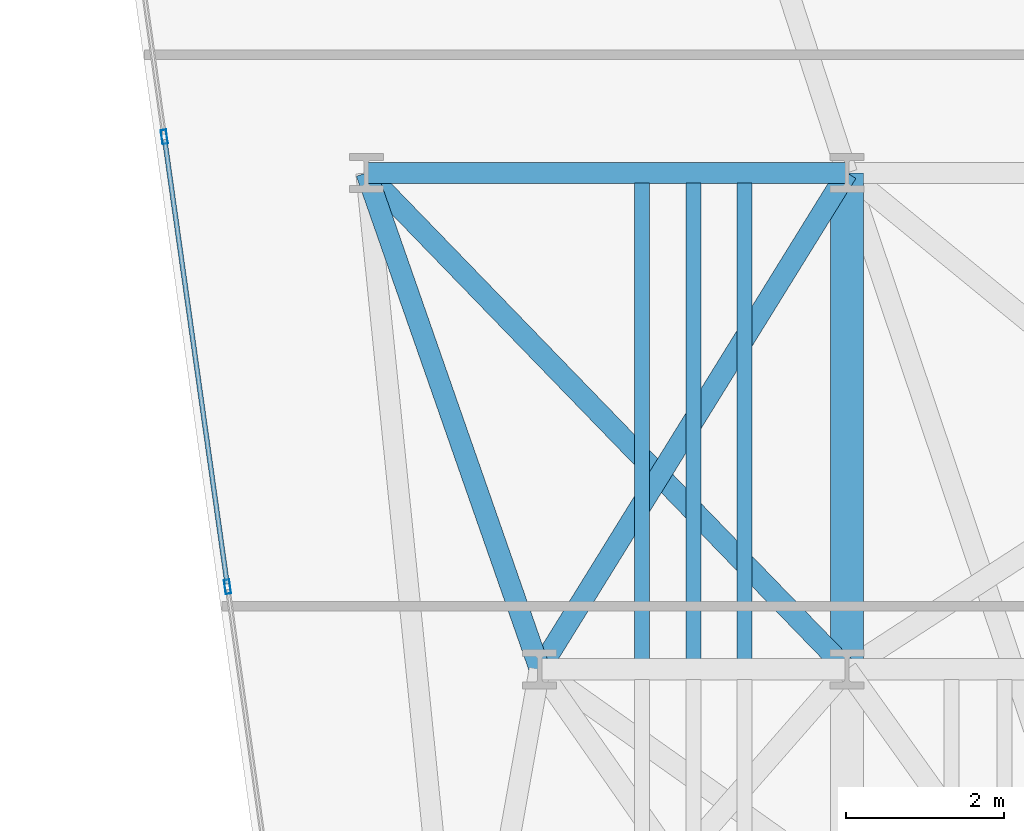
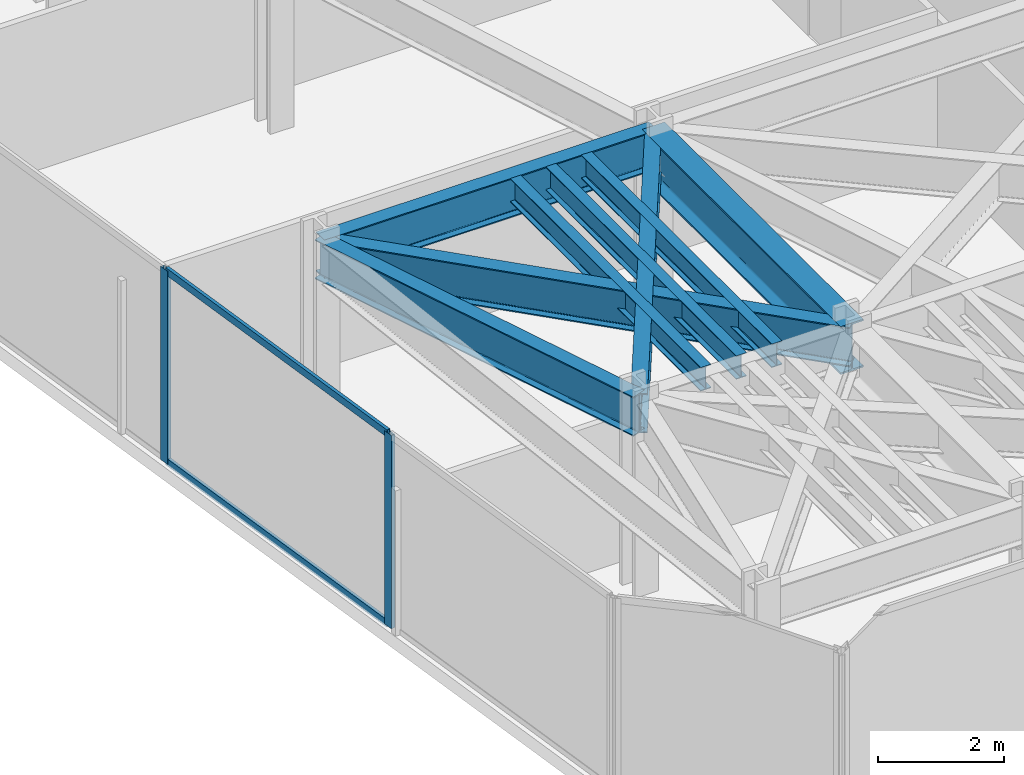
# One storey, part 4 of 24: 8 beams, 4 members, 1 element without a shape of its own.
"""IFC4 building model written with IfcOpenShell, lengths in metres."""

from ifc_helpers import new_model, si_unit, direction, frame, origin, origin_2d, place, context, subcontext, project, spatial, hollow_rectangle, i_section, extrude, material, layer, layer_set, material_profile, profile_set, type_object, element, aggregate, save


model = new_model("IFC4")

# Units and contexts
model_context = context("Model", 3, precision=1e-05, world=origin(), true_north=direction((0.0, 1.0)))
body_context = subcontext(model_context, "Body", "Model", "MODEL_VIEW")
ifc_project = project(units=[si_unit("LENGTHUNIT", "METRE"), si_unit("AREAUNIT", "SQUARE_METRE"), si_unit("VOLUMEUNIT", "CUBIC_METRE"), si_unit("PLANEANGLEUNIT", "RADIAN"), si_unit("MASSUNIT", "GRAM", prefix="KILO")], contexts=[model_context])

# Site, building, storey
site_placement = place(None, origin())
site = spatial("IfcSite", under=ifc_project, at=site_placement, CompositionType="ELEMENT")
building_placement = place(site_placement, origin())
building = spatial("IfcBuilding", under=site, at=building_placement, Name="Kravanh Interchange Tower", CompositionType="ELEMENT")
storey_placement = place(building_placement, frame((0.0, 0.0, 61.5)))
storey = spatial("IfcBuildingStorey", under=building, at=storey_placement, Name="L14", CompositionType="ELEMENT", Elevation=61.5)

# Curtain wall, members
ifc_material_1 = material(Name="Anodised Bronze Aluminium", Category="aluminium")
ifc_layer = layer(ifc_material_1, 0.179931640625)
ifc_layer_set = layer_set([ifc_layer], Name="Unitised Curtain Wall System CW-Z1 Lower Office")
curtain_wall_type = type_object("IfcCurtainWallType", Name="Unitised Curtain Wall System CW-Z1 Lower Office", PredefinedType="NOTDEFINED", material=ifc_layer_set)
curtain_wall_placement = place(storey_placement, origin())
curtain_wall = element("IfcCurtainWall", 1, at=curtain_wall_placement, inside=storey, type_object=curtain_wall_type, Name="L14 Unitised Curtain Wall CW-L14-01", PredefinedType="NOTDEFINED")
ifc_material_2 = material(Name="Anodised Bronze Aluminium", Category="aluminium")
ifc_material_profile_1 = material_profile(ifc_material_2, hollow_rectangle(XDim=0.070068359375, YDim=0.179931640625, WallThickness=0.00390625, at=origin_2d()), Name="ALU70X180X4")
ifc_profile_set_1 = profile_set([ifc_material_profile_1], Name="Anodised Bronze Aluminium")
member_type_1 = type_object("IfcMemberType", Name="Curtain Wall Mullion ALU70X180X4 Bronze", PredefinedType="MULLION", material=ifc_profile_set_1)
member_1_placement = place(storey_placement, frame((9.6376953125, 9.247314453125, 0.0), z_axis=(0.0, 0.0, 1.0), x_axis=(-0.990267585682, -0.139176538065, 0.0)))
member_1 = element("IfcMember", 2, at=member_1_placement, type_object=member_type_1, Name="CW-Z1 mullion 2", PredefinedType="MULLION", context=body_context, shape_type="SweptSolid", body=[
    extrude(hollow_rectangle(XDim=0.070068359375, YDim=0.179931640625, WallThickness=0.00390625, at=origin_2d()), origin(), (0.0, 0.0, 1.0), 3.739990234375),
])
member_2_placement = place(storey_placement, frame((8.835205078125, 14.957763671875, 0.0), z_axis=(0.0, 0.0, 1.0), x_axis=(-0.990267585682, -0.139176538065, 0.0)))
member_2 = element("IfcMember", 3, at=member_2_placement, type_object=member_type_1, Name="CW-Z1 mullion 3", PredefinedType="MULLION", context=body_context, shape_type="SweptSolid", body=[
    extrude(hollow_rectangle(XDim=0.070068359375, YDim=0.179931640625, WallThickness=0.00390625, at=origin_2d()), origin(), (0.0, 0.0, 1.0), 3.739990234375),
])
ifc_material_3 = material(Name="Anodised Bronze Aluminium", Category="aluminium")
ifc_material_profile_2 = material_profile(ifc_material_3, hollow_rectangle(XDim=0.06005859375, YDim=0.139892578125, WallThickness=0.00390625, at=origin_2d()), Name="ALU60X140X4")
ifc_profile_set_2 = profile_set([ifc_material_profile_2], Name="Anodised Bronze Aluminium")
member_type_2 = type_object("IfcMemberType", Name="Curtain Wall Transom ALU60X140X4 Bronze", PredefinedType="USERDEFINED", material=ifc_profile_set_2)
member_3_placement = place(storey_placement, frame((9.633056640625, 9.281982421875, 0.030029296875), z_axis=(-0.139200984921, 0.990264149506, 0.0), x_axis=(-0.990264149506, -0.139200984921, 0.0)))
member_3 = element("IfcMember", 4, at=member_3_placement, type_object=member_type_2, Name="CW-Z1 transom 2.1", ObjectType="TRANSOM", PredefinedType="USERDEFINED", context=body_context, shape_type="SweptSolid", body=[
    extrude(hollow_rectangle(XDim=0.06005859375, YDim=0.139892578125, WallThickness=0.00390625, at=origin_2d()), origin(), (0.0, 0.0, 1.0), 5.696533203125),
])
member_4_placement = place(storey_placement, frame((9.633056640625, 9.281982421875, 3.7099609375), z_axis=(-0.139200984921, 0.990264149506, 0.0), x_axis=(-0.990264149506, -0.139200984921, 0.0)))
member_4 = element("IfcMember", 5, at=member_4_placement, type_object=member_type_2, Name="CW-Z1 transom 2.2", ObjectType="TRANSOM", PredefinedType="USERDEFINED", context=body_context, shape_type="SweptSolid", body=[
    extrude(hollow_rectangle(XDim=0.06005859375, YDim=0.139892578125, WallThickness=0.00390625, at=origin_2d()), origin(), (0.0, 0.0, 1.0), 5.696533203125),
])
aggregate(curtain_wall, [member_1, member_2, member_3, member_4])

# Beams
ifc_material_4 = material(Name="Structural Steel S355", Category="steel")
ifc_material_profile_3 = material_profile(ifc_material_4, i_section(OverallWidth=0.41796875, OverallDepth=0.927001953125, WebThickness=0.019287109375, FlangeThickness=0.031982421875, FilletRadius=0.028076171875, at=origin_2d()), Name="W36X231")
ifc_profile_set_3 = profile_set([ifc_material_profile_3], Name="Structural Steel S355")
beam_type_1 = type_object("IfcBeamType", Name="Floor Beam W36X231 Structural Steel S355", PredefinedType="BEAM", material=ifc_profile_set_3)
beam_1_placement = place(storey_placement, frame((17.5, 8.199951171875, 3.276611328125), z_axis=(0.0, 1.0, 0.0), x_axis=(-1.0, 0.0, 0.0)))
element("IfcBeam", 6, at=beam_1_placement, inside=storey, type_object=beam_type_1, Name="L14 Primary Floor Girder 136", PredefinedType="BEAM", context=body_context, shape_type="SweptSolid", body=[
    extrude(i_section(OverallWidth=0.41796875, OverallDepth=0.927001953125, WebThickness=0.019287109375, FlangeThickness=0.031982421875, FilletRadius=0.028076171875, at=origin_2d()), origin(), (0.0, 0.0, 1.0), 6.300048828125),
])
ifc_material_5 = material(Name="Structural Steel S355", Category="steel")
ifc_material_profile_4 = material_profile(ifc_material_5, i_section(OverallWidth=0.18994140625, OverallDepth=0.45703125, WebThickness=0.009033203125, FlangeThickness=0.014404296875, FilletRadius=0.01806640625, at=origin_2d()), Name="W18X50")
ifc_profile_set_4 = profile_set([ifc_material_profile_4], Name="Structural Steel S355")
beam_type_2 = type_object("IfcBeamType", Name="Floor Joist W18X50 Structural Steel S355", PredefinedType="JOIST", material=ifc_profile_set_4)
for number, where, z_axis, x_axis, name in (
    (7, (14.89990234375, 8.32861328125, 3.511474609375), (0.0, 1.0, 0.0), (-1.0, 0.0, 0.0), "L14 Secondary Floor Joist 10"),
    (8, (15.550048828125, 8.32861328125, 3.511474609375), (0.0, 1.0, 0.0), (-1.0, 0.0, 0.0), "L14 Secondary Floor Joist 11"),
    (9, (16.199951171875, 8.32861328125, 3.511474609375), (0.0, 1.0, 0.0), (-1.0, 0.0, 0.0), "L14 Secondary Floor Joist 12"),
):
    element("IfcBeam", number, at=place(storey_placement, frame(where, z_axis=z_axis, x_axis=x_axis)), inside=storey, type_object=beam_type_2, Name=name, PredefinedType="JOIST", context=body_context, shape_type="SweptSolid", body=[
        extrude(i_section(OverallWidth=0.18994140625, OverallDepth=0.45703125, WebThickness=0.009033203125, FlangeThickness=0.014404296875, FilletRadius=0.01806640625, at=origin_2d()), origin(), (0.0, 0.0, 1.0), 6.04296875),
    ])
ifc_material_6 = material(Name="Structural Steel S355", Category="steel")
ifc_material_profile_5 = material_profile(ifc_material_6, i_section(OverallWidth=0.26708984375, OverallDepth=0.761962890625, WebThickness=0.014404296875, FlangeThickness=0.021484375, FilletRadius=0.02490234375, at=origin_2d()), Name="W30X116")
ifc_profile_set_5 = profile_set([ifc_material_profile_5], Name="Structural Steel S355")
beam_type_3 = type_object("IfcBeamType", Name="Floor Spandrel W30X116 Structural Steel S355", PredefinedType="SPANDREL", material=ifc_profile_set_5)
beam_2_placement = place(storey_placement, frame((13.60009765625, 8.199951171875, 3.35888671875), z_axis=(-0.329706642337, 0.944083433812, 0.0), x_axis=(-0.944083433812, -0.329706642337, 0.0)))
element("IfcBeam", 10, at=beam_2_placement, inside=storey, type_object=beam_type_3, Name="L14 Perimeter Spandrel 134", PredefinedType="SPANDREL", context=body_context, shape_type="SweptSolid", body=[
    extrude(i_section(OverallWidth=0.26708984375, OverallDepth=0.761962890625, WebThickness=0.014404296875, FlangeThickness=0.021484375, FilletRadius=0.02490234375, at=origin_2d()), origin(), (0.0, 0.0, 1.0), 6.673095703125),
])
beam_3_placement = place(storey_placement, frame((13.60009765625, 8.199951171875, 3.35888671875), z_axis=(0.5263421368, 0.850272870923, 0.0), x_axis=(-0.850272870923, 0.5263421368, 0.0)))
element("IfcBeam", 11, at=beam_3_placement, inside=storey, type_object=beam_type_3, Name="L14 Perimeter Spandrel 135", PredefinedType="SPANDREL", context=body_context, shape_type="SweptSolid", body=[
    extrude(i_section(OverallWidth=0.26708984375, OverallDepth=0.761962890625, WebThickness=0.014404296875, FlangeThickness=0.021484375, FilletRadius=0.02490234375, at=origin_2d()), origin(), (0.0, 0.0, 1.0), 7.409423828125),
])
beam_4_placement = place(storey_placement, frame((17.5, 8.199951171875, 3.35888671875), z_axis=(-0.695614323867, 0.718415417729, 0.0), x_axis=(-0.718415417729, -0.695614323867, 0.0)))
element("IfcBeam", 12, at=beam_4_placement, inside=storey, type_object=beam_type_3, Name="L14 Perimeter Spandrel 138", PredefinedType="SPANDREL", context=body_context, shape_type="SweptSolid", body=[
    extrude(i_section(OverallWidth=0.26708984375, OverallDepth=0.761962890625, WebThickness=0.014404296875, FlangeThickness=0.021484375, FilletRadius=0.02490234375, at=origin_2d()), origin(), (0.0, 0.0, 1.0), 8.769287109375),
])
beam_5_placement = place(storey_placement, frame((11.39990234375, 14.5, 3.35888671875), z_axis=(1.0, 0.0, 0.0), x_axis=(0.0, 1.0, 0.0)))
element("IfcBeam", 13, at=beam_5_placement, inside=storey, type_object=beam_type_3, Name="L14 Perimeter Spandrel 143", PredefinedType="SPANDREL", context=body_context, shape_type="SweptSolid", body=[
    extrude(i_section(OverallWidth=0.26708984375, OverallDepth=0.761962890625, WebThickness=0.014404296875, FlangeThickness=0.021484375, FilletRadius=0.02490234375, at=origin_2d()), origin(), (0.0, 0.0, 1.0), 6.10009765625),
])

save(model, "model.ifc")
